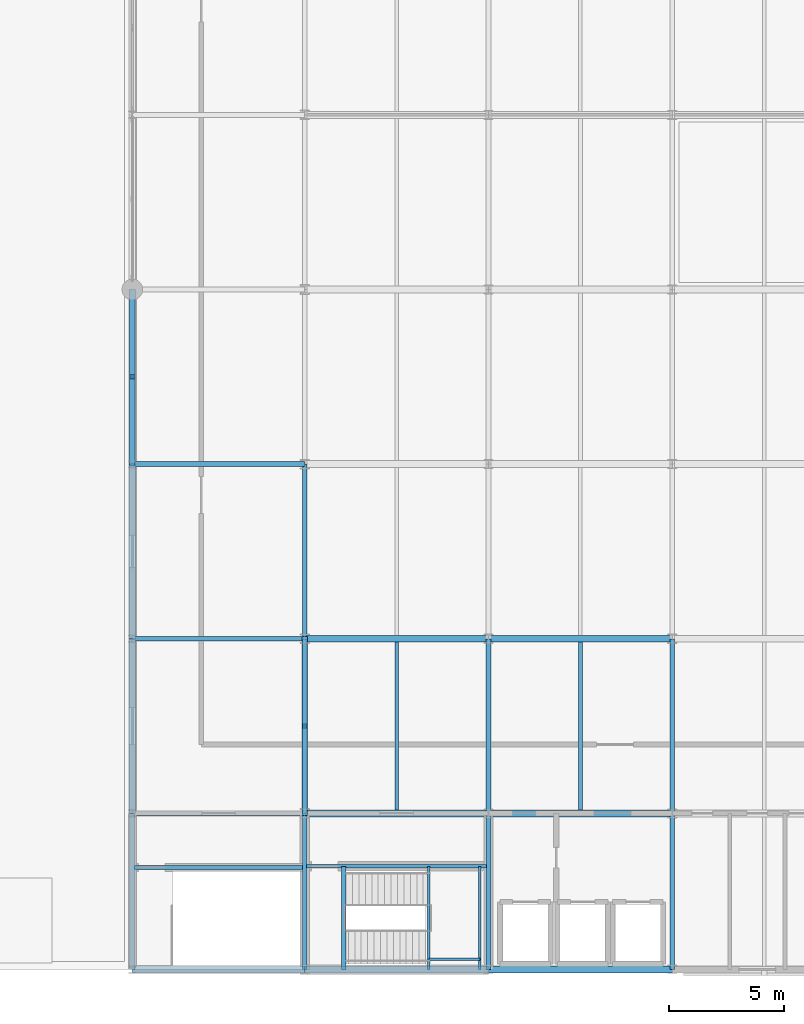
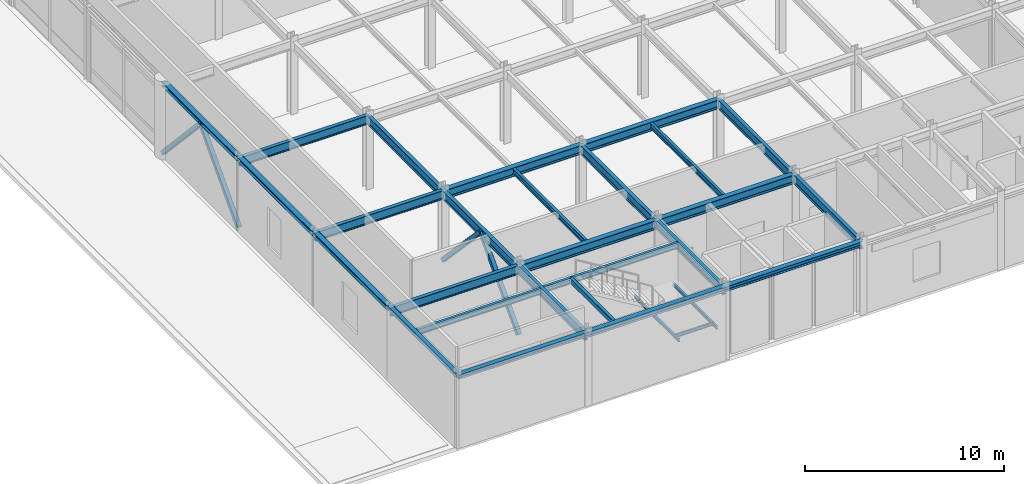
# One storey, part 12 of 43: 29 beams, 4 members.
"""IFC4 building model written with IfcOpenShell, lengths in metres."""

from ifc_helpers import new_model, si_unit, direction, frame, origin, origin_2d, place, context, subcontext, project, spatial, hollow_rectangle, i_section, extrude, material, material_profile, profile_set, type_object, element, save


model = new_model("IFC4")

# Units and contexts
model_context = context("Model", 3, precision=1e-05, world=origin(), true_north=direction((0.0, 1.0)))
body_context = subcontext(model_context, "Body", "Model", "MODEL_VIEW")
ifc_project = project(units=[si_unit("LENGTHUNIT", "METRE"), si_unit("AREAUNIT", "SQUARE_METRE"), si_unit("VOLUMEUNIT", "CUBIC_METRE"), si_unit("PLANEANGLEUNIT", "RADIAN"), si_unit("MASSUNIT", "GRAM", prefix="KILO")], contexts=[model_context])

# Site, building, storey
site_placement = place(None, origin())
site = spatial("IfcSite", under=ifc_project, at=site_placement, CompositionType="ELEMENT")
building_placement = place(site_placement, origin())
building = spatial("IfcBuilding", under=site, at=building_placement, Name="Shalkamar Park Central Library", CompositionType="ELEMENT")
storey_placement = place(building_placement, frame((0.0, 0.0, 15.60009765625)))
storey = spatial("IfcBuildingStorey", under=building, at=storey_placement, Name="L04", CompositionType="ELEMENT", Elevation=15.60009765625)

# Beams
ifc_material = material(Name="Steel S355", Category="steel")
ifc_material_profile_1 = material_profile(ifc_material, i_section(OverallWidth=0.10009765625, OverallDepth=0.199951171875, WebThickness=0.005615234375, FlangeThickness=0.008544921875, FilletRadius=0.011962890625, at=origin_2d()), Name="IPE 200")
ifc_profile_set_1 = profile_set([ifc_material_profile_1], Name="Steel S355")
beam_type_1 = type_object("IfcBeamType", Name="Composite Floor Joist IPE200", PredefinedType="JOIST", material=ifc_profile_set_1)
for number, where, z_axis, x_axis, name in (
    (1, (170.39990234375, 248.39990234375, 2.02001953125), (0.0, 1.0, 0.0), (-1.0, 0.0, 0.0), "Stair Half-Landing Beam ST-T1-L04-1"),
    (2, (172.6201171875, 248.39990234375, 2.02001953125), (0.0, 1.0, 0.0), (-1.0, 0.0, 0.0), "Stair Half-Landing Beam ST-T1-L04-2"),
):
    element("IfcBeam", number, at=place(storey_placement, frame(where, z_axis=z_axis, x_axis=x_axis)), inside=storey, type_object=beam_type_1, Name=name, PredefinedType="JOIST", context=body_context, shape_type="SweptSolid", body=[
        extrude(i_section(OverallWidth=0.10009765625, OverallDepth=0.199951171875, WebThickness=0.005615234375, FlangeThickness=0.008544921875, FilletRadius=0.011962890625, at=origin_2d()), origin(), (0.0, 0.0, 1.0), 4.5),
    ])
beam_1_placement = place(storey_placement, frame((170.39990234375, 248.85009765625, 2.02001953125), z_axis=(1.0, 0.0, 0.0), x_axis=(0.0, 1.0, 0.0)))
element("IfcBeam", 3, at=beam_1_placement, inside=storey, type_object=beam_type_1, Name="Stair Half-Landing Cross Tie ST-T1-L04-3", PredefinedType="JOIST", context=body_context, shape_type="SweptSolid", body=[
    extrude(i_section(OverallWidth=0.10009765625, OverallDepth=0.199951171875, WebThickness=0.005615234375, FlangeThickness=0.008544921875, FilletRadius=0.011962890625, at=origin_2d()), origin(), (0.0, 0.0, 1.0), 2.22021484375),
])
ifc_material_profile_2 = material_profile(ifc_material, i_section(OverallWidth=0.159912109375, OverallDepth=0.330078125, WebThickness=0.007568359375, FlangeThickness=0.011474609375, FilletRadius=0.01806640625, at=origin_2d()), Name="IPE 330")
ifc_profile_set_2 = profile_set([ifc_material_profile_2], Name="Steel S355")
beam_type_2 = type_object("IfcBeamType", Name="Composite Floor Joist IPE330", PredefinedType="JOIST", material=ifc_profile_set_2)
for number, where, z_axis, x_axis, name in (
    (4, (169.0, 255.347900390625, 4.31494140625), (0.0, 1.0, 0.0), (-1.0, 0.0, 0.0), "Composite Joist 07/C-1 (L04)"),
    (5, (177.0, 255.347900390625, 4.31494140625), (0.0, 1.0, 0.0), (-1.0, 0.0, 0.0), "Composite Joist 08/C-1 (L04)"),
):
    element("IfcBeam", number, at=place(storey_placement, frame(where, z_axis=z_axis, x_axis=x_axis)), inside=storey, type_object=beam_type_2, Name=name, PredefinedType="JOIST", context=body_context, shape_type="SweptSolid", body=[
        extrude(i_section(OverallWidth=0.159912109375, OverallDepth=0.330078125, WebThickness=0.007568359375, FlangeThickness=0.011474609375, FilletRadius=0.01806640625, at=origin_2d()), origin(), (0.0, 0.0, 1.0), 7.30419921875),
    ])

# Members
ifc_material_profile_3 = material_profile(ifc_material, hollow_rectangle(XDim=0.25, YDim=0.25, WallThickness=0.012451171875, InnerFilletRadius=0.012451171875, OuterFilletRadius=0.018798828125, at=origin_2d()), Name="SHS 250x250x12.5")
ifc_profile_set_3 = profile_set([ifc_material_profile_3], Name="Steel S355")
member_type = type_object("IfcMemberType", Name="Diagonal Brace SHS250", PredefinedType="BRACE", material=ifc_profile_set_3)
for number, where, z_axis, x_axis, name in (
    (6, (165.0, 255.199951171875, 0.14990234375), (0.0, 0.686042201306, 0.7275617486), (-1.0, 0.0, 0.0), "Chevron Brace TW-W Leg A (L04)"),
    (7, (165.0, 262.800048828125, 0.14990234375), (0.0, -0.686042201306, 0.7275617486), (1.0, 0.0, 0.0), "Chevron Brace TW-W Leg B (L04)"),
):
    element("IfcMember", number, at=place(storey_placement, frame(where, z_axis=z_axis, x_axis=x_axis)), inside=storey, type_object=member_type, Name=name, PredefinedType="BRACE", context=body_context, shape_type="SweptSolid", body=[
        extrude(hollow_rectangle(XDim=0.25, YDim=0.25, WallThickness=0.012451171875, InnerFilletRadius=0.012451171875, OuterFilletRadius=0.018798828125, at=origin_2d()), origin(), (0.0, 0.0, 1.0), 5.5390625),
    ])
for number, where, z_axis, x_axis, name in (
    (8, (157.5, 270.39990234375, 0.14990234375), (0.0, 0.679760654278, 0.733434014002), (-1.0, 0.0, 0.0), "Chevron Brace PD-W Leg A (L04)"),
    (9, (157.5, 278.0, 0.14990234375), (0.0, -0.679760654278, 0.733434014002), (1.0, 0.0, 0.0), "Chevron Brace PD-W Leg B (L04)"),
):
    element("IfcMember", number, at=place(storey_placement, frame(where, z_axis=z_axis, x_axis=x_axis)), inside=storey, type_object=member_type, Name=name, PredefinedType="BRACE", context=body_context, shape_type="SweptSolid", body=[
        extrude(hollow_rectangle(XDim=0.25, YDim=0.25, WallThickness=0.012451171875, InnerFilletRadius=0.012451171875, OuterFilletRadius=0.018798828125, at=origin_2d()), origin(), (0.0, 0.0, 1.0), 5.59033203125),
    ])

# Beams
ifc_material_profile_4 = material_profile(ifc_material, i_section(OverallWidth=0.239990234375, OverallDepth=0.22998046875, WebThickness=0.007568359375, FlangeThickness=0.011962890625, FilletRadius=0.02099609375, at=origin_2d()), Name="HEA 240")
ifc_profile_set_4 = profile_set([ifc_material_profile_4], Name="Steel S355")
beam_type_3 = type_object("IfcBeamType", Name="Perimeter Spandrel Beam HEA240", PredefinedType="SPANDREL", material=ifc_profile_set_4)
beam_2_placement = place(storey_placement, frame((157.5, 248.39990234375, 4.434814453125), z_axis=(0.0, 1.0, 0.0), x_axis=(-1.0, 0.0, 0.0)))
element("IfcBeam", 10, at=beam_2_placement, inside=storey, type_object=beam_type_3, Name="Beam 06:B-C (L04)", PredefinedType="SPANDREL", context=body_context, shape_type="SweptSolid", body=[
    extrude(i_section(OverallWidth=0.239990234375, OverallDepth=0.22998046875, WebThickness=0.007568359375, FlangeThickness=0.011962890625, FilletRadius=0.02099609375, at=origin_2d()), origin(), (0.0, 0.0, 1.0), 6.800048828125),
])
ifc_material_profile_5 = material_profile(ifc_material, i_section(OverallWidth=0.280029296875, OverallDepth=0.27001953125, WebThickness=0.008056640625, FlangeThickness=0.012939453125, FilletRadius=0.02392578125, at=origin_2d()), Name="HEA 280")
ifc_profile_set_5 = profile_set([ifc_material_profile_5], Name="Steel S355")
beam_type_4 = type_object("IfcBeamType", Name="Perimeter Spandrel Beam HEA280", PredefinedType="SPANDREL", material=ifc_profile_set_5)
beam_3_placement = place(storey_placement, frame((157.5, 248.39990234375, 4.344970703125), z_axis=(1.0, 0.0, 0.0), x_axis=(0.0, 1.0, 0.0)))
element("IfcBeam", 11, at=beam_3_placement, inside=storey, type_object=beam_type_4, Name="Beam B:06-07 (L04)", PredefinedType="SPANDREL", context=body_context, shape_type="SweptSolid", body=[
    extrude(i_section(OverallWidth=0.280029296875, OverallDepth=0.27001953125, WebThickness=0.008056640625, FlangeThickness=0.012939453125, FilletRadius=0.02392578125, at=origin_2d()), origin(), (0.0, 0.0, 1.0), 7.5),
])
beam_4_placement = place(storey_placement, frame((157.5, 255.199951171875, 4.414794921875), z_axis=(0.0, 1.0, 0.0), x_axis=(-1.0, 0.0, 0.0)))
element("IfcBeam", 12, at=beam_4_placement, inside=storey, type_object=beam_type_4, Name="Beam 06:C-D (L04)", PredefinedType="SPANDREL", context=body_context, shape_type="SweptSolid", body=[
    extrude(i_section(OverallWidth=0.280029296875, OverallDepth=0.27001953125, WebThickness=0.008056640625, FlangeThickness=0.012939453125, FilletRadius=0.02392578125, at=origin_2d()), origin(), (0.0, 0.0, 1.0), 7.60009765625),
])
beam_5_placement = place(storey_placement, frame((157.5, 262.800048828125, 4.414794921875), z_axis=(0.0, 1.0, 0.0), x_axis=(-1.0, 0.0, 0.0)))
element("IfcBeam", 13, at=beam_5_placement, inside=storey, type_object=beam_type_4, Name="Beam 06:D-E (L04)", PredefinedType="SPANDREL", context=body_context, shape_type="SweptSolid", body=[
    extrude(i_section(OverallWidth=0.280029296875, OverallDepth=0.27001953125, WebThickness=0.008056640625, FlangeThickness=0.012939453125, FilletRadius=0.02392578125, at=origin_2d()), origin(), (0.0, 0.0, 1.0), 7.599853515625),
])
beam_6_placement = place(storey_placement, frame((157.5, 270.39990234375, 4.414794921875), z_axis=(0.0, 1.0, 0.0), x_axis=(-1.0, 0.0, 0.0)))
element("IfcBeam", 14, at=beam_6_placement, inside=storey, type_object=beam_type_4, Name="Beam 06:E-F (L04)", PredefinedType="SPANDREL", context=body_context, shape_type="SweptSolid", body=[
    extrude(i_section(OverallWidth=0.280029296875, OverallDepth=0.27001953125, WebThickness=0.008056640625, FlangeThickness=0.012939453125, FilletRadius=0.02392578125, at=origin_2d()), origin(), (0.0, 0.0, 1.0), 7.60009765625),
])
ifc_material_profile_6 = material_profile(ifc_material, i_section(OverallWidth=0.300048828125, OverallDepth=0.31005859375, WebThickness=0.009033203125, FlangeThickness=0.015380859375, FilletRadius=0.027099609375, at=origin_2d()), Name="HEA 320")
ifc_profile_set_6 = profile_set([ifc_material_profile_6], Name="Steel S355")
beam_type_5 = type_object("IfcBeamType", Name="Perimeter Spandrel Beam HEA320", PredefinedType="SPANDREL", material=ifc_profile_set_6)
for number, where, z_axis, x_axis, name in (
    (15, (165.0, 248.39990234375, 4.324951171875), (1.0, 0.0, 0.0), (0.0, 1.0, 0.0), "Beam B:07-08 (L04)"),
    (16, (173.0, 248.39990234375, 4.324951171875), (1.0, 0.0, 0.0), (0.0, 1.0, 0.0), "Beam B:08-09 (L04)"),
):
    element("IfcBeam", number, at=place(storey_placement, frame(where, z_axis=z_axis, x_axis=x_axis)), inside=storey, type_object=beam_type_5, Name=name, PredefinedType="SPANDREL", context=body_context, shape_type="SweptSolid", body=[
        extrude(i_section(OverallWidth=0.300048828125, OverallDepth=0.31005859375, WebThickness=0.009033203125, FlangeThickness=0.015380859375, FilletRadius=0.027099609375, at=origin_2d()), origin(), (0.0, 0.0, 1.0), 8.0),
    ])
ifc_material_profile_7 = material_profile(ifc_material, i_section(OverallWidth=0.300048828125, OverallDepth=0.550048828125, WebThickness=0.014892578125, FlangeThickness=0.029052734375, FilletRadius=0.027099609375, at=origin_2d()), Name="HEB 550")
ifc_profile_set_7 = profile_set([ifc_material_profile_7], Name="Steel S355")
beam_type_6 = type_object("IfcBeamType", Name="Primary Girder HEB550", PredefinedType="BEAM", material=ifc_profile_set_7)
for number, where, z_axis, x_axis, name in (
    (17, (165.0, 255.199951171875, 4.204833984375), (1.0, 0.0, 0.0), (0.0, 1.0, 0.0), "Beam C:07-08 (L04)"),
    (18, (173.0, 255.199951171875, 4.204833984375), (1.0, 0.0, 0.0), (0.0, 1.0, 0.0), "Beam C:08-09 (L04)"),
    (19, (165.0, 262.800048828125, 4.204833984375), (1.0, 0.0, 0.0), (0.0, 1.0, 0.0), "Beam D:07-08 (L04)"),
    (20, (173.0, 262.800048828125, 4.204833984375), (1.0, 0.0, 0.0), (0.0, 1.0, 0.0), "Beam D:08-09 (L04)"),
):
    element("IfcBeam", number, at=place(storey_placement, frame(where, z_axis=z_axis, x_axis=x_axis)), inside=storey, type_object=beam_type_6, Name=name, PredefinedType="BEAM", context=body_context, shape_type="SweptSolid", body=[
        extrude(i_section(OverallWidth=0.300048828125, OverallDepth=0.550048828125, WebThickness=0.014892578125, FlangeThickness=0.029052734375, FilletRadius=0.027099609375, at=origin_2d()), origin(), (0.0, 0.0, 1.0), 8.0),
    ])
ifc_material_profile_8 = material_profile(ifc_material, i_section(OverallWidth=0.169921875, OverallDepth=0.360107421875, WebThickness=0.008056640625, FlangeThickness=0.0126953125, FilletRadius=0.01806640625, at=origin_2d()), Name="IPE 360")
ifc_profile_set_8 = profile_set([ifc_material_profile_8], Name="Steel S355")
beam_type_7 = type_object("IfcBeamType", Name="Primary Girder IPE360", PredefinedType="BEAM", material=ifc_profile_set_8)
beam_7_placement = place(storey_placement, frame((165.087890625, 252.89990234375, 4.2998046875), z_axis=(1.0, 0.0, 0.0), x_axis=(0.0, 1.0, 0.0)))
element("IfcBeam", 21, at=beam_7_placement, inside=storey, type_object=beam_type_7, Name="CORE-T1 Stairwell Divider Beam (L04)", PredefinedType="BEAM", context=body_context, shape_type="SweptSolid", body=[
    extrude(i_section(OverallWidth=0.169921875, OverallDepth=0.360107421875, WebThickness=0.008056640625, FlangeThickness=0.0126953125, FilletRadius=0.01806640625, at=origin_2d()), origin(), (0.0, 0.0, 1.0), 7.82421875),
])
beam_8_placement = place(storey_placement, frame((157.587890625, 252.85009765625, 4.2998046875), z_axis=(1.0, 0.0, 0.0), x_axis=(0.0, 1.0, 0.0)))
element("IfcBeam", 22, at=beam_8_placement, inside=storey, type_object=beam_type_7, Name="CORE-P1 Stairwell Divider Beam (L04)", PredefinedType="BEAM", context=body_context, shape_type="SweptSolid", body=[
    extrude(i_section(OverallWidth=0.169921875, OverallDepth=0.360107421875, WebThickness=0.008056640625, FlangeThickness=0.0126953125, FilletRadius=0.01806640625, at=origin_2d()), origin(), (0.0, 0.0, 1.0), 7.32421875),
])
ifc_material_profile_9 = material_profile(ifc_material, i_section(OverallWidth=0.2099609375, OverallDepth=0.550048828125, WebThickness=0.010986328125, FlangeThickness=0.01708984375, FilletRadius=0.02392578125, at=origin_2d()), Name="IPE 550")
ifc_profile_set_9 = profile_set([ifc_material_profile_9], Name="Steel S355")
beam_type_8 = type_object("IfcBeamType", Name="Primary Girder IPE550", PredefinedType="BEAM", material=ifc_profile_set_9)
for number, where, z_axis, x_axis, name in (
    (23, (157.5, 255.199951171875, 4.204833984375), (1.0, 0.0, 0.0), (0.0, 1.0, 0.0), "Beam C:06-07 (L04)"),
    (24, (157.5, 262.800048828125, 4.204833984375), (1.0, 0.0, 0.0), (0.0, 1.0, 0.0), "Beam D:06-07 (L04)"),
    (25, (157.5, 270.39990234375, 4.204833984375), (1.0, 0.0, 0.0), (0.0, 1.0, 0.0), "Beam E:06-07 (L04)"),
):
    element("IfcBeam", number, at=place(storey_placement, frame(where, z_axis=z_axis, x_axis=x_axis)), inside=storey, type_object=beam_type_8, Name=name, PredefinedType="BEAM", context=body_context, shape_type="SweptSolid", body=[
        extrude(i_section(OverallWidth=0.2099609375, OverallDepth=0.550048828125, WebThickness=0.010986328125, FlangeThickness=0.01708984375, FilletRadius=0.02392578125, at=origin_2d()), origin(), (0.0, 0.0, 1.0), 7.5),
    ])
beam_9_placement = place(storey_placement, frame((165.0, 248.39990234375, 4.204833984375), z_axis=(0.0, 1.0, 0.0), x_axis=(-1.0, 0.0, 0.0)))
element("IfcBeam", 26, at=beam_9_placement, inside=storey, type_object=beam_type_8, Name="Beam 07:B-C (L04)", PredefinedType="BEAM", context=body_context, shape_type="SweptSolid", body=[
    extrude(i_section(OverallWidth=0.2099609375, OverallDepth=0.550048828125, WebThickness=0.010986328125, FlangeThickness=0.01708984375, FilletRadius=0.02392578125, at=origin_2d()), origin(), (0.0, 0.0, 1.0), 6.800048828125),
])
beam_10_placement = place(storey_placement, frame((165.0, 255.199951171875, 4.204833984375), z_axis=(0.0, 1.0, 0.0), x_axis=(-1.0, 0.0, 0.0)))
element("IfcBeam", 27, at=beam_10_placement, inside=storey, type_object=beam_type_8, Name="Beam 07:C-D (L04)", PredefinedType="BEAM", context=body_context, shape_type="SweptSolid", body=[
    extrude(i_section(OverallWidth=0.2099609375, OverallDepth=0.550048828125, WebThickness=0.010986328125, FlangeThickness=0.01708984375, FilletRadius=0.02392578125, at=origin_2d()), origin(), (0.0, 0.0, 1.0), 7.60009765625),
])
beam_11_placement = place(storey_placement, frame((165.0, 262.800048828125, 4.204833984375), z_axis=(0.0, 1.0, 0.0), x_axis=(-1.0, 0.0, 0.0)))
element("IfcBeam", 28, at=beam_11_placement, inside=storey, type_object=beam_type_8, Name="Beam 07:D-E (L04)", PredefinedType="BEAM", context=body_context, shape_type="SweptSolid", body=[
    extrude(i_section(OverallWidth=0.2099609375, OverallDepth=0.550048828125, WebThickness=0.010986328125, FlangeThickness=0.01708984375, FilletRadius=0.02392578125, at=origin_2d()), origin(), (0.0, 0.0, 1.0), 7.599853515625),
])
beam_12_placement = place(storey_placement, frame((173.0, 248.39990234375, 4.204833984375), z_axis=(0.0, 1.0, 0.0), x_axis=(-1.0, 0.0, 0.0)))
element("IfcBeam", 29, at=beam_12_placement, inside=storey, type_object=beam_type_8, Name="Beam 08:B-C (L04)", PredefinedType="BEAM", context=body_context, shape_type="SweptSolid", body=[
    extrude(i_section(OverallWidth=0.2099609375, OverallDepth=0.550048828125, WebThickness=0.010986328125, FlangeThickness=0.01708984375, FilletRadius=0.02392578125, at=origin_2d()), origin(), (0.0, 0.0, 1.0), 6.800048828125),
])
beam_13_placement = place(storey_placement, frame((173.0, 255.199951171875, 4.204833984375), z_axis=(0.0, 1.0, 0.0), x_axis=(-1.0, 0.0, 0.0)))
element("IfcBeam", 30, at=beam_13_placement, inside=storey, type_object=beam_type_8, Name="Beam 08:C-D (L04)", PredefinedType="BEAM", context=body_context, shape_type="SweptSolid", body=[
    extrude(i_section(OverallWidth=0.2099609375, OverallDepth=0.550048828125, WebThickness=0.010986328125, FlangeThickness=0.01708984375, FilletRadius=0.02392578125, at=origin_2d()), origin(), (0.0, 0.0, 1.0), 7.60009765625),
])
beam_14_placement = place(storey_placement, frame((181.0, 248.39990234375, 4.204833984375), z_axis=(0.0, 1.0, 0.0), x_axis=(-1.0, 0.0, 0.0)))
element("IfcBeam", 31, at=beam_14_placement, inside=storey, type_object=beam_type_8, Name="Beam 09:B-C (L04)", PredefinedType="BEAM", context=body_context, shape_type="SweptSolid", body=[
    extrude(i_section(OverallWidth=0.2099609375, OverallDepth=0.550048828125, WebThickness=0.010986328125, FlangeThickness=0.01708984375, FilletRadius=0.02392578125, at=origin_2d()), origin(), (0.0, 0.0, 1.0), 6.800048828125),
])
beam_15_placement = place(storey_placement, frame((181.0, 255.199951171875, 4.204833984375), z_axis=(0.0, 1.0, 0.0), x_axis=(-1.0, 0.0, 0.0)))
element("IfcBeam", 32, at=beam_15_placement, inside=storey, type_object=beam_type_8, Name="Beam 09:C-D (L04)", PredefinedType="BEAM", context=body_context, shape_type="SweptSolid", body=[
    extrude(i_section(OverallWidth=0.2099609375, OverallDepth=0.550048828125, WebThickness=0.010986328125, FlangeThickness=0.01708984375, FilletRadius=0.02392578125, at=origin_2d()), origin(), (0.0, 0.0, 1.0), 7.60009765625),
])
ifc_material_profile_10 = material_profile(ifc_material, hollow_rectangle(XDim=0.199951171875, YDim=0.300048828125, WallThickness=0.011962890625, InnerFilletRadius=0.011962890625, OuterFilletRadius=0.01806640625, at=origin_2d()), Name="RHS 300x200x12")
ifc_profile_set_10 = profile_set([ifc_material_profile_10], Name="Steel S355")
beam_type_9 = type_object("IfcBeamType", Name="Stair Trimmer Box RHS300x200", PredefinedType="BEAM", material=ifc_profile_set_10)
beam_16_placement = place(storey_placement, frame((166.699951171875, 248.39990234375, 4.329833984375), z_axis=(0.0, 1.0, 0.0), x_axis=(-1.0, 0.0, 0.0)))
element("IfcBeam", 33, at=beam_16_placement, inside=storey, type_object=beam_type_9, Name="Stair Arrival Trimmer Girder ST-T1-L04", PredefinedType="BEAM", context=body_context, shape_type="SweptSolid", body=[
    extrude(hollow_rectangle(XDim=0.199951171875, YDim=0.300048828125, WallThickness=0.011962890625, InnerFilletRadius=0.011962890625, OuterFilletRadius=0.01806640625, at=origin_2d()), origin(), (0.0, 0.0, 1.0), 4.5),
])

save(model, "model.ifc")
